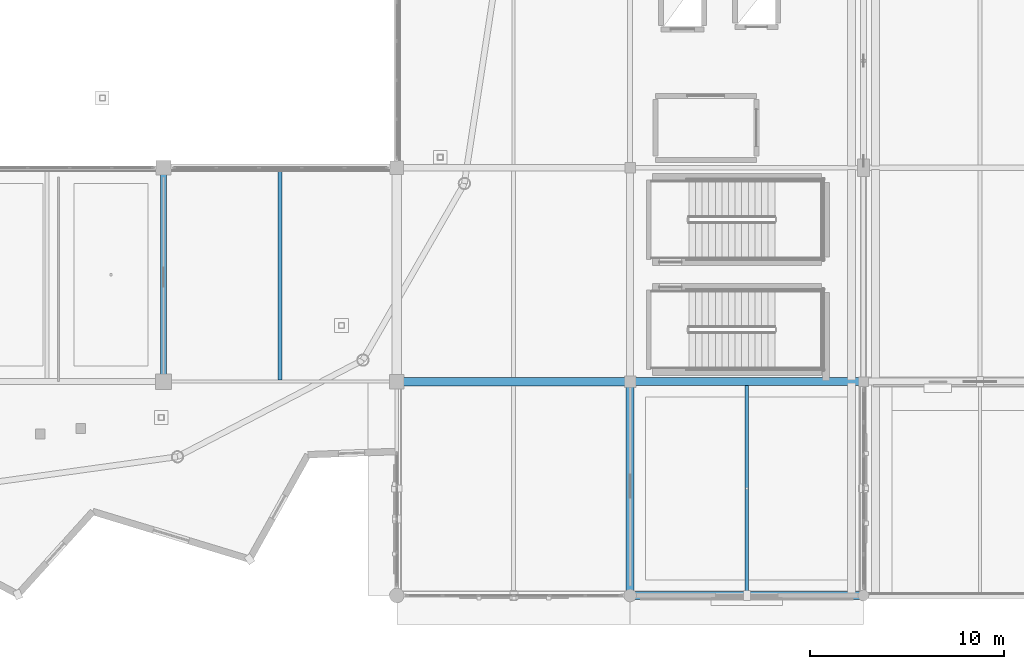
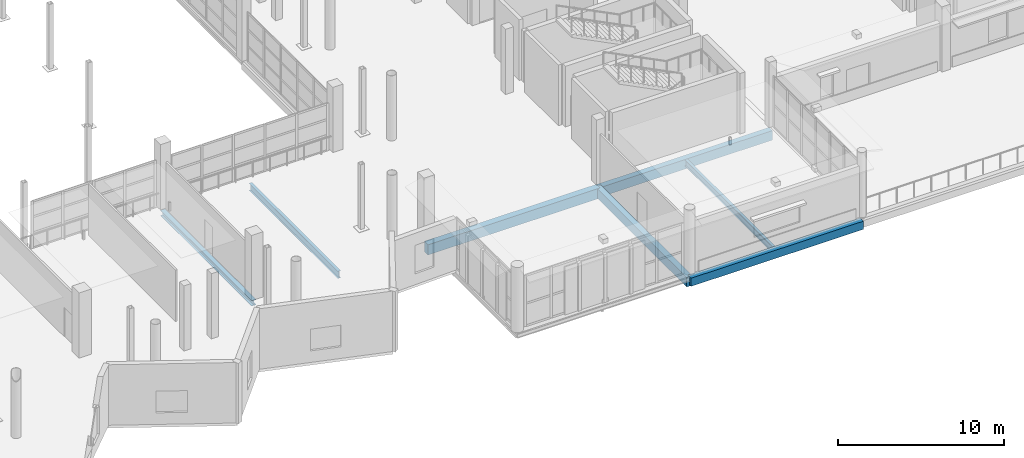
# One storey, part 55 of 143: 7 beams.
"""IFC4 building model written with IfcOpenShell, lengths in metres."""

import ifcopenshell
import ifcopenshell.guid

model = None  # the IFC model being written
_history = None  # IfcOwnerHistory: only IFC2X3 demands one
_inside = {}  # id of a spatial element -> (the spatial element, [elements in it])
_under = {}  # id of a project, library or spatial element -> (it, [spatial elements below it])
_declared = {}  # id of a project -> (the project, [libraries it declares])
_typed = {}  # id of a type object -> (the type object, [elements of that type])
_made_of = {}  # id of a material, layer set ... -> (it, [elements and type objects made of it])


def new_model(schema):
    """Start an empty IFC model of exactly this schema.

    Asked for "IFC4X3", IfcOpenShell would pick the latest addendum, in which some entities
    have other attributes; the version numbers below select the first issue.
    IFC2X3 requires an IfcOwnerHistory on every rooted entity: one is made here for all.
    """
    global model, _history
    if schema == "IFC4X3":
        model = ifcopenshell.file(schema_version=(4, 3, 0, 0))
    else:
        model = ifcopenshell.file(schema=schema)
    _inside.clear()
    _under.clear()
    _declared.clear()
    _typed.clear()
    _made_of.clear()
    _history = None
    if model.schema == "IFC2X3":
        org = make("IfcOrganization", Name="unknown")
        user = make(
            "IfcPersonAndOrganization",
            ThePerson=make("IfcPerson", FamilyName="unknown"),
            TheOrganization=org,
        )
        app = make(
            "IfcApplication",
            ApplicationDeveloper=org,
            Version="unknown",
            ApplicationFullName="unknown",
            ApplicationIdentifier="unknown",
        )
        _history = make(
            "IfcOwnerHistory",
            OwningUser=user,
            OwningApplication=app,
            ChangeAction="ADDED",
            CreationDate=0,
        )
    return model


def make(cls, **values):
    """One entity of the class cls with the attributes given. An attribute that is None is left unset."""
    return model.create_entity(
        cls, **{name: value for name, value in values.items() if value is not None}
    )


def rooted(cls, **values):
    """An entity with a GlobalId (a new one), such as an element, a storey or a relation."""
    return make(cls, GlobalId=ifcopenshell.guid.new(), OwnerHistory=_history, **values)


def si_unit(unit_type, name, prefix=None):
    """IfcSIUnit, for example si_unit("LENGTHUNIT", "METRE", prefix="MILLI")."""
    return make("IfcSIUnit", UnitType=unit_type, Prefix=prefix, Name=name)


def assignment(units):
    """IfcUnitAssignment: the units of a project."""
    return None if units is None else make("IfcUnitAssignment", Units=units)


def point(xyz):
    """IfcCartesianPoint."""
    return None if xyz is None else make("IfcCartesianPoint", Coordinates=xyz)


def direction(xyz):
    """IfcDirection."""
    return None if xyz is None else make("IfcDirection", DirectionRatios=xyz)


def frame(location, z_axis=None, x_axis=None):
    """IfcAxis2Placement3D, a coordinate frame: its origin and axes. An axis left out is left unset."""
    return make(
        "IfcAxis2Placement3D",
        Location=point(location),
        Axis=direction(z_axis),
        RefDirection=direction(x_axis),
    )


def frame_2d(location, x_axis=None):
    """IfcAxis2Placement2D, a coordinate frame in the plane: its origin and x axis."""
    return make(
        "IfcAxis2Placement2D", Location=point(location), RefDirection=direction(x_axis)
    )


def origin():
    """The frame at (0, 0, 0) with its axes left unset."""
    return frame((0.0, 0.0, 0.0))


def origin_2d():
    """The frame at (0, 0) in the plane with its x axis left unset."""
    return frame_2d((0.0, 0.0))


def place(relative_to, where):
    """IfcLocalPlacement: puts the frame where relative to a parent placement (None: the world)."""
    return make(
        "IfcLocalPlacement", PlacementRelTo=relative_to, RelativePlacement=where
    )


def context(
    kind, dimensions, precision=None, world=None, true_north=None, identifier=None
):
    """IfcGeometricRepresentationContext, for example the 3D "Model" context."""
    return make(
        "IfcGeometricRepresentationContext",
        ContextIdentifier=identifier,
        ContextType=kind,
        CoordinateSpaceDimension=dimensions,
        Precision=precision,
        WorldCoordinateSystem=world,
        TrueNorth=true_north,
    )


def subcontext(parent, identifier, kind, view, scale=None):
    """IfcGeometricRepresentationSubContext, for example "Body" below "Model"."""
    return make(
        "IfcGeometricRepresentationSubContext",
        ContextIdentifier=identifier,
        ContextType=kind,
        ParentContext=parent,
        TargetScale=scale,
        TargetView=view,
    )


def project(units=None, contexts=None):
    """IfcProject with its units and contexts."""
    return rooted(
        "IfcProject",
        Name="project",
        RepresentationContexts=contexts,
        UnitsInContext=assignment(units),
    )


def spatial(cls, under=None, at=None, **own):
    """A site, building, storey or space (cls), placed at a placement, below another one or the project."""
    s = rooted(cls, ObjectPlacement=at, **own)
    if under is not None:
        _under.setdefault(under.id(), (under, []))[1].append(s)
    return s


def profile(cls, at=None, kind="AREA", **sizes):
    """A parametric profile (cls). Its sizes go by their IFC names, for example OverallWidth=200.0."""
    return make(cls, ProfileType=kind, Position=at, **sizes)


def rectangle(**sizes):
    """IfcRectangleProfileDef."""
    return profile("IfcRectangleProfileDef", **sizes)


def i_section(**sizes):
    """IfcIShapeProfileDef."""
    return profile("IfcIShapeProfileDef", **sizes)


def extrude(swept, where, along, depth):
    """IfcExtrudedAreaSolid: the profile swept, set in the frame where, extruded along a direction by depth."""
    return make(
        "IfcExtrudedAreaSolid",
        SweptArea=swept,
        Position=where,
        ExtrudedDirection=direction(along),
        Depth=depth,
    )


def shape(context_of_items, identifier, shape_type, items):
    """IfcShapeRepresentation: the items that make up one representation, for example the "Body"."""
    return make(
        "IfcShapeRepresentation",
        ContextOfItems=context_of_items,
        RepresentationIdentifier=identifier,
        RepresentationType=shape_type,
        Items=items,
    )


def material(Name=None, Category=None):
    """IfcMaterial."""
    return make("IfcMaterial", Name=Name, Category=Category)


def material_profile(
    of_material, cross_section, Name=None, Category=None, Priority=None
):
    """IfcMaterialProfile: a cross section and its material."""
    return make(
        "IfcMaterialProfile",
        Name=Name,
        Material=of_material,
        Profile=cross_section,
        Priority=Priority,
        Category=Category,
    )


def profile_set(profiles, Name=None, composite=None):
    """IfcMaterialProfileSet."""
    return make(
        "IfcMaterialProfileSet",
        Name=Name,
        MaterialProfiles=profiles,
        CompositeProfile=composite,
    )


def made_of(thing, what):
    """Note that an element or type object is made of a material, layer set ...; save() writes the relation."""
    if what is not None:
        _made_of.setdefault(what.id(), (what, []))[1].append(thing)
    return thing


def type_object(cls, material=None, **own):
    """A type object (cls), such as IfcWallType, which elements share."""
    return made_of(rooted(cls, **own), material)


def element(
    cls,
    number,
    at=None,
    inside=None,
    cuts=None,
    type_object=None,
    material=None,
    context=None,
    identifier="Body",
    shape_type=None,
    held_by="IfcProductDefinitionShape",
    body=None,
    shapes=None,
    **own,
):
    """One element of the class cls, such as IfcWall. Its Tag is "e" and its number.

    at: its placement. inside: the storey or other place that contains it. cuts: it is an
    opening in that element (IfcRelVoidsElement). A single representation is given by context,
    identifier, shape_type and body (its items); several are given by shapes. held_by: the class
    of the entity that holds the representations. save() writes the other relations.
    """
    e = rooted(cls, Tag="e%d" % number, ObjectPlacement=at, **own)
    if body is not None:
        shapes = [shape(context, identifier, shape_type, body)]
    if shapes is not None:
        e.Representation = make(held_by, Representations=shapes)
    if inside is not None:
        _inside.setdefault(inside.id(), (inside, []))[1].append(e)
    if cuts is not None:
        rooted(
            "IfcRelVoidsElement", RelatingBuildingElement=cuts, RelatedOpeningElement=e
        )
    if type_object is not None:
        _typed.setdefault(type_object.id(), (type_object, []))[1].append(e)
    return made_of(e, material)


def aggregate(whole, parts):
    """IfcRelAggregates: a whole, such as a stair, and the parts it consists of."""
    return rooted("IfcRelAggregates", RelatingObject=whole, RelatedObjects=parts)


def save(model, path):
    """Write the relations noted so far, then the file.

    IfcRelAggregates (storeys below a building ...), IfcRelContainedInSpatialStructure (elements
    in a storey), IfcRelDefinesByType, IfcRelAssociatesMaterial and IfcRelDeclares: one each for
    every whole, place, type object, material and project.
    """
    for whole, parts in _under.values():
        aggregate(whole, parts)
    for where, things in _inside.values():
        rooted(
            "IfcRelContainedInSpatialStructure",
            RelatedElements=things,
            RelatingStructure=where,
        )
    for kind, things in _typed.values():
        rooted("IfcRelDefinesByType", RelatedObjects=things, RelatingType=kind)
    for what, things in _made_of.values():
        rooted("IfcRelAssociatesMaterial", RelatedObjects=things, RelatingMaterial=what)
    for by, libraries in _declared.values():
        rooted("IfcRelDeclares", RelatingContext=by, RelatedDefinitions=libraries)
    model.write(path)


model = new_model("IFC4")

# Units and contexts
model_context = context("Model", 3, precision=1e-05, world=origin(), true_north=direction((0.0, 1.0)))
body_context = subcontext(model_context, "Body", "Model", "MODEL_VIEW")
ifc_project = project(units=[si_unit("LENGTHUNIT", "METRE"), si_unit("AREAUNIT", "SQUARE_METRE"), si_unit("VOLUMEUNIT", "CUBIC_METRE"), si_unit("PLANEANGLEUNIT", "RADIAN"), si_unit("MASSUNIT", "GRAM", prefix="KILO")], contexts=[model_context])

# Site, building, storey
site_placement = place(None, origin())
site = spatial("IfcSite", under=ifc_project, at=site_placement, CompositionType="ELEMENT")
building_placement = place(site_placement, origin())
building = spatial("IfcBuilding", under=site, at=building_placement, Name="Luwafu Chhajja Arena", CompositionType="ELEMENT")
storey_placement = place(building_placement, frame((0.0, 0.0, 5.39990234375)))
storey = spatial("IfcBuildingStorey", under=building, at=storey_placement, Name="L01", CompositionType="ELEMENT", Elevation=5.39990234375)

# Beams
ifc_material_1 = material(Name="Steel S355", Category="steel")
ifc_material_profile_1 = material_profile(ifc_material_1, i_section(OverallWidth=0.19140625, OverallDepth=0.4599609375, WebThickness=0.010009765625, FlangeThickness=0.01611328125, at=origin_2d()), Name="UB 457x191x82")
ifc_profile_set_1 = profile_set([ifc_material_profile_1], Name="Steel S355")
beam_type_1 = type_object("IfcBeamType", Name="Floor Joist UB 457x191x82", PredefinedType="JOIST", material=ifc_profile_set_1)
beam_1_placement = place(storey_placement, frame((158.0, 0.199951171875, -0.559814453125), z_axis=(0.0, 1.0, 0.0), x_axis=(-1.0, 0.0, 0.0)))
element("IfcBeam", 1, at=beam_1_placement, inside=storey, type_object=beam_type_1, Name="L01 Secondary Joist 14-15/A", PredefinedType="JOIST", context=body_context, shape_type="SweptSolid", body=[
    extrude(i_section(OverallWidth=0.19140625, OverallDepth=0.4599609375, WebThickness=0.010009765625, FlangeThickness=0.01611328125, at=origin_2d()), origin(), (0.0, 0.0, 1.0), 10.60009765625),
])
ifc_material_profile_2 = material_profile(ifc_material_1, i_section(OverallWidth=0.209228515625, OverallDepth=0.533203125, WebThickness=0.010009765625, FlangeThickness=0.015625, at=origin_2d()), Name="UB 533x210x92")
ifc_profile_set_2 = profile_set([ifc_material_profile_2], Name="Steel S355")
beam_type_2 = type_object("IfcBeamType", Name="Floor Joist UB 533x210x92", PredefinedType="JOIST", material=ifc_profile_set_2)
beam_2_placement = place(storey_placement, frame((134.0, 11.0830078125, -0.596435546875), z_axis=(0.0, 1.0, 0.0), x_axis=(-1.0, 0.0, 0.0)))
element("IfcBeam", 2, at=beam_2_placement, inside=storey, type_object=beam_type_2, Name="L01 Secondary Joist 12-13/B", PredefinedType="JOIST", context=body_context, shape_type="SweptSolid", body=[
    extrude(i_section(OverallWidth=0.209228515625, OverallDepth=0.533203125, WebThickness=0.010009765625, FlangeThickness=0.015625, at=origin_2d()), origin(), (0.0, 0.0, 1.0), 10.717041015625),
])
ifc_material_2 = material(Name="Concrete C35/45", Category="concrete")
ifc_material_profile_3 = material_profile(ifc_material_2, rectangle(XDim=0.39990234375, YDim=0.60009765625, at=origin_2d()), Name="RC 400x600")
ifc_profile_set_3 = profile_set([ifc_material_profile_3], Name="Concrete C35/45")
beam_type_3 = type_object("IfcBeamType", Name="Podium Perimeter Spandrel RC 400x600", PredefinedType="SPANDREL", material=ifc_profile_set_3)
beam_3_placement = place(storey_placement, frame((152.0, 0.0, -0.6298828125), z_axis=(1.0, 0.0, 0.0), x_axis=(0.0, 1.0, 0.0)))
element("IfcBeam", 3, at=beam_3_placement, inside=storey, type_object=beam_type_3, Name="L01 Grid Beam 14-15/A", PredefinedType="SPANDREL", context=body_context, shape_type="SweptSolid", body=[
    extrude(rectangle(XDim=0.39990234375, YDim=0.60009765625, at=origin_2d()), origin(), (0.0, 0.0, 1.0), 12.0),
])
ifc_material_profile_4 = material_profile(ifc_material_1, i_section(OverallWidth=0.300048828125, OverallDepth=0.39990234375, WebThickness=0.013427734375, FlangeThickness=0.02392578125, at=origin_2d()), Name="HEB 400")
ifc_profile_set_4 = profile_set([ifc_material_profile_4], Name="Steel S355")
beam_type_4 = type_object("IfcBeamType", Name="Steel Rigging Grid Beam HEB 400", PredefinedType="BEAM", material=ifc_profile_set_4)
beam_4_placement = place(storey_placement, frame((128.0, 11.0, -0.52978515625), z_axis=(0.0, 1.0, 0.0), x_axis=(-1.0, 0.0, 0.0)))
element("IfcBeam", 4, at=beam_4_placement, inside=storey, type_object=beam_type_4, Name="L01 Grid Beam 12/B-C", PredefinedType="BEAM", context=body_context, shape_type="SweptSolid", body=[
    extrude(i_section(OverallWidth=0.300048828125, OverallDepth=0.39990234375, WebThickness=0.013427734375, FlangeThickness=0.02392578125, at=origin_2d()), origin(), (0.0, 0.0, 1.0), 11.0),
])
ifc_material_profile_5 = material_profile(ifc_material_2, rectangle(XDim=0.39990234375, YDim=0.699951171875, at=origin_2d()), Name="RC 400x700")
ifc_profile_set_5 = profile_set([ifc_material_profile_5], Name="Concrete C35/45")
beam_type_5 = type_object("IfcBeamType", Name="Wing Frame Beam RC 400x700", PredefinedType="BEAM", material=ifc_profile_set_5)
beam_5_placement = place(storey_placement, frame((152.0, 11.0, -0.679931640625), z_axis=(1.0, 0.0, 0.0), x_axis=(0.0, 1.0, 0.0)))
element("IfcBeam", 5, at=beam_5_placement, inside=storey, type_object=beam_type_5, Name="L01 Grid Beam 14-15/B", PredefinedType="BEAM", context=body_context, shape_type="SweptSolid", body=[
    extrude(rectangle(XDim=0.39990234375, YDim=0.699951171875, at=origin_2d()), origin(), (0.0, 0.0, 1.0), 12.0),
])
beam_6_placement = place(storey_placement, frame((152.0, 0.0, -0.679931640625), z_axis=(0.0, 1.0, 0.0), x_axis=(-1.0, 0.0, 0.0)))
element("IfcBeam", 6, at=beam_6_placement, inside=storey, type_object=beam_type_5, Name="L01 Grid Beam 14/A-B", PredefinedType="BEAM", context=body_context, shape_type="SweptSolid", body=[
    extrude(rectangle(XDim=0.39990234375, YDim=0.699951171875, at=origin_2d()), origin(), (0.0, 0.0, 1.0), 11.0),
])
ifc_material_profile_6 = material_profile(ifc_material_2, rectangle(XDim=0.449951171875, YDim=0.75, at=origin_2d()), Name="RC 450x750")
ifc_profile_set_6 = profile_set([ifc_material_profile_6], Name="Concrete C35/45")
beam_type_6 = type_object("IfcBeamType", Name="Wing Primary Beam RC 450x750", PredefinedType="BEAM", material=ifc_profile_set_6)
beam_7_placement = place(storey_placement, frame((140.0, 11.0, -0.704833984375), z_axis=(1.0, 0.0, 0.0), x_axis=(0.0, 1.0, 0.0)))
element("IfcBeam", 7, at=beam_7_placement, inside=storey, type_object=beam_type_6, Name="L01 Grid Beam 13-14/B", PredefinedType="BEAM", context=body_context, shape_type="SweptSolid", body=[
    extrude(rectangle(XDim=0.449951171875, YDim=0.75, at=origin_2d()), origin(), (0.0, 0.0, 1.0), 12.0),
])

save(model, "model.ifc")
